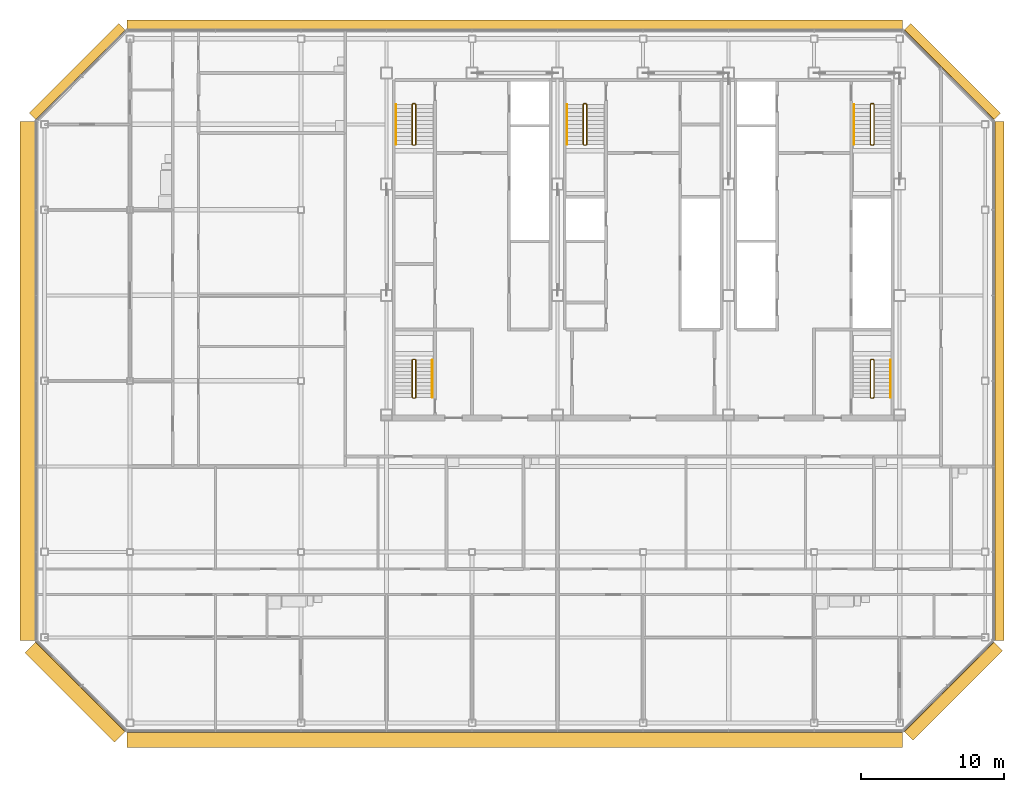
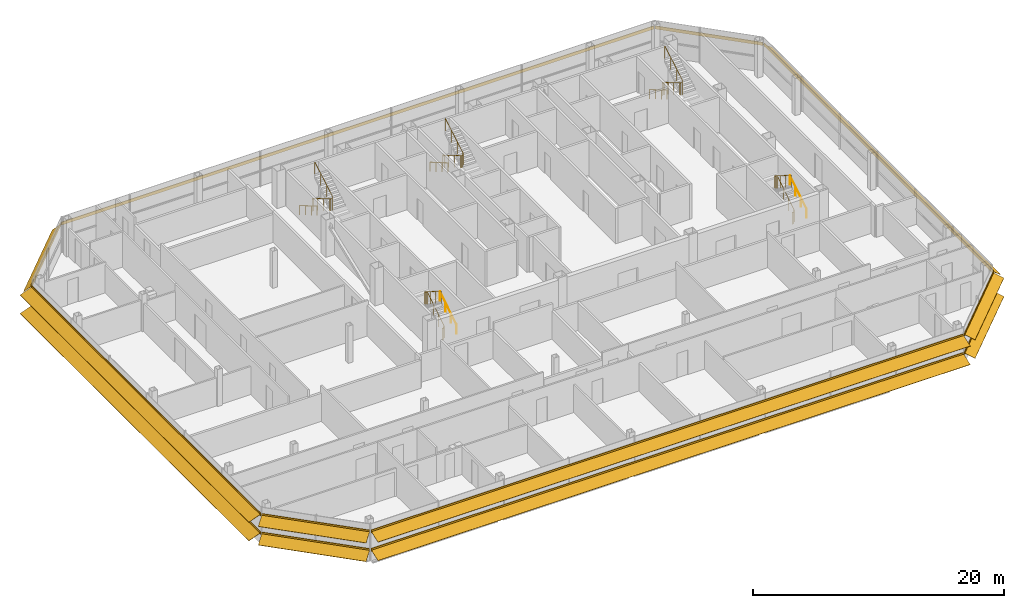
# One storey, part 26 of 27: 10 railings, 8 shading devices.
"""IFC4 building model written with IfcOpenShell, lengths in metres."""

import ifcopenshell
import ifcopenshell.guid

model = None  # the IFC model being written
_history = None  # IfcOwnerHistory: only IFC2X3 demands one
_inside = {}  # id of a spatial element -> (the spatial element, [elements in it])
_under = {}  # id of a project, library or spatial element -> (it, [spatial elements below it])
_declared = {}  # id of a project -> (the project, [libraries it declares])
_typed = {}  # id of a type object -> (the type object, [elements of that type])
_made_of = {}  # id of a material, layer set ... -> (it, [elements and type objects made of it])


def new_model(schema):
    """Start an empty IFC model of exactly this schema.

    Asked for "IFC4X3", IfcOpenShell would pick the latest addendum, in which some entities
    have other attributes; the version numbers below select the first issue.
    IFC2X3 requires an IfcOwnerHistory on every rooted entity: one is made here for all.
    """
    global model, _history
    if schema == "IFC4X3":
        model = ifcopenshell.file(schema_version=(4, 3, 0, 0))
    else:
        model = ifcopenshell.file(schema=schema)
    _inside.clear()
    _under.clear()
    _declared.clear()
    _typed.clear()
    _made_of.clear()
    _history = None
    if model.schema == "IFC2X3":
        org = make("IfcOrganization", Name="unknown")
        user = make(
            "IfcPersonAndOrganization",
            ThePerson=make("IfcPerson", FamilyName="unknown"),
            TheOrganization=org,
        )
        app = make(
            "IfcApplication",
            ApplicationDeveloper=org,
            Version="unknown",
            ApplicationFullName="unknown",
            ApplicationIdentifier="unknown",
        )
        _history = make(
            "IfcOwnerHistory",
            OwningUser=user,
            OwningApplication=app,
            ChangeAction="ADDED",
            CreationDate=0,
        )
    return model


def make(cls, **values):
    """One entity of the class cls with the attributes given. An attribute that is None is left unset."""
    return model.create_entity(
        cls, **{name: value for name, value in values.items() if value is not None}
    )


def rooted(cls, **values):
    """An entity with a GlobalId (a new one), such as an element, a storey or a relation."""
    return make(cls, GlobalId=ifcopenshell.guid.new(), OwnerHistory=_history, **values)


def si_unit(unit_type, name, prefix=None):
    """IfcSIUnit, for example si_unit("LENGTHUNIT", "METRE", prefix="MILLI")."""
    return make("IfcSIUnit", UnitType=unit_type, Prefix=prefix, Name=name)


def assignment(units):
    """IfcUnitAssignment: the units of a project."""
    return None if units is None else make("IfcUnitAssignment", Units=units)


def point(xyz):
    """IfcCartesianPoint."""
    return None if xyz is None else make("IfcCartesianPoint", Coordinates=xyz)


def direction(xyz):
    """IfcDirection."""
    return None if xyz is None else make("IfcDirection", DirectionRatios=xyz)


def frame(location, z_axis=None, x_axis=None):
    """IfcAxis2Placement3D, a coordinate frame: its origin and axes. An axis left out is left unset."""
    return make(
        "IfcAxis2Placement3D",
        Location=point(location),
        Axis=direction(z_axis),
        RefDirection=direction(x_axis),
    )


def frame_2d(location, x_axis=None):
    """IfcAxis2Placement2D, a coordinate frame in the plane: its origin and x axis."""
    return make(
        "IfcAxis2Placement2D", Location=point(location), RefDirection=direction(x_axis)
    )


def origin():
    """The frame at (0, 0, 0) with its axes left unset."""
    return frame((0.0, 0.0, 0.0))


def origin_2d():
    """The frame at (0, 0) in the plane with its x axis left unset."""
    return frame_2d((0.0, 0.0))


def place(relative_to, where):
    """IfcLocalPlacement: puts the frame where relative to a parent placement (None: the world)."""
    return make(
        "IfcLocalPlacement", PlacementRelTo=relative_to, RelativePlacement=where
    )


def context(
    kind, dimensions, precision=None, world=None, true_north=None, identifier=None
):
    """IfcGeometricRepresentationContext, for example the 3D "Model" context."""
    return make(
        "IfcGeometricRepresentationContext",
        ContextIdentifier=identifier,
        ContextType=kind,
        CoordinateSpaceDimension=dimensions,
        Precision=precision,
        WorldCoordinateSystem=world,
        TrueNorth=true_north,
    )


def subcontext(parent, identifier, kind, view, scale=None):
    """IfcGeometricRepresentationSubContext, for example "Body" below "Model"."""
    return make(
        "IfcGeometricRepresentationSubContext",
        ContextIdentifier=identifier,
        ContextType=kind,
        ParentContext=parent,
        TargetScale=scale,
        TargetView=view,
    )


def project(units=None, contexts=None):
    """IfcProject with its units and contexts."""
    return rooted(
        "IfcProject",
        Name="project",
        RepresentationContexts=contexts,
        UnitsInContext=assignment(units),
    )


def spatial(cls, under=None, at=None, **own):
    """A site, building, storey or space (cls), placed at a placement, below another one or the project."""
    s = rooted(cls, ObjectPlacement=at, **own)
    if under is not None:
        _under.setdefault(under.id(), (under, []))[1].append(s)
    return s


def polyline(points):
    """IfcPolyline through the points."""
    return make("IfcPolyline", Points=[point(p) for p in points])


def profile(cls, at=None, kind="AREA", **sizes):
    """A parametric profile (cls). Its sizes go by their IFC names, for example OverallWidth=200.0."""
    return make(cls, ProfileType=kind, Position=at, **sizes)


def circle(**sizes):
    """IfcCircleProfileDef."""
    return profile("IfcCircleProfileDef", **sizes)


def outline(outer, holes=None, kind="AREA"):
    """IfcArbitraryClosedProfileDef: a profile drawn as a closed curve; with holes, ...WithVoids."""
    if holes is None:
        return make("IfcArbitraryClosedProfileDef", ProfileType=kind, OuterCurve=outer)
    return make(
        "IfcArbitraryProfileDefWithVoids",
        ProfileType=kind,
        OuterCurve=outer,
        InnerCurves=holes,
    )


def composite_profile(profiles, kind="AREA"):
    """IfcCompositeProfileDef: several profiles as one."""
    return make("IfcCompositeProfileDef", ProfileType=kind, Profiles=profiles)


def extrude(swept, where, along, depth):
    """IfcExtrudedAreaSolid: the profile swept, set in the frame where, extruded along a direction by depth."""
    return make(
        "IfcExtrudedAreaSolid",
        SweptArea=swept,
        Position=where,
        ExtrudedDirection=direction(along),
        Depth=depth,
    )


def shape(context_of_items, identifier, shape_type, items):
    """IfcShapeRepresentation: the items that make up one representation, for example the "Body"."""
    return make(
        "IfcShapeRepresentation",
        ContextOfItems=context_of_items,
        RepresentationIdentifier=identifier,
        RepresentationType=shape_type,
        Items=items,
    )


def material(Name=None, Category=None):
    """IfcMaterial."""
    return make("IfcMaterial", Name=Name, Category=Category)


def made_of(thing, what):
    """Note that an element or type object is made of a material, layer set ...; save() writes the relation."""
    if what is not None:
        _made_of.setdefault(what.id(), (what, []))[1].append(thing)
    return thing


def type_object(cls, material=None, **own):
    """A type object (cls), such as IfcWallType, which elements share."""
    return made_of(rooted(cls, **own), material)


def element(
    cls,
    number,
    at=None,
    inside=None,
    cuts=None,
    type_object=None,
    material=None,
    context=None,
    identifier="Body",
    shape_type=None,
    held_by="IfcProductDefinitionShape",
    body=None,
    shapes=None,
    **own,
):
    """One element of the class cls, such as IfcWall. Its Tag is "e" and its number.

    at: its placement. inside: the storey or other place that contains it. cuts: it is an
    opening in that element (IfcRelVoidsElement). A single representation is given by context,
    identifier, shape_type and body (its items); several are given by shapes. held_by: the class
    of the entity that holds the representations. save() writes the other relations.
    """
    e = rooted(cls, Tag="e%d" % number, ObjectPlacement=at, **own)
    if body is not None:
        shapes = [shape(context, identifier, shape_type, body)]
    if shapes is not None:
        e.Representation = make(held_by, Representations=shapes)
    if inside is not None:
        _inside.setdefault(inside.id(), (inside, []))[1].append(e)
    if cuts is not None:
        rooted(
            "IfcRelVoidsElement", RelatingBuildingElement=cuts, RelatedOpeningElement=e
        )
    if type_object is not None:
        _typed.setdefault(type_object.id(), (type_object, []))[1].append(e)
    return made_of(e, material)


def aggregate(whole, parts):
    """IfcRelAggregates: a whole, such as a stair, and the parts it consists of."""
    return rooted("IfcRelAggregates", RelatingObject=whole, RelatedObjects=parts)


def save(model, path):
    """Write the relations noted so far, then the file.

    IfcRelAggregates (storeys below a building ...), IfcRelContainedInSpatialStructure (elements
    in a storey), IfcRelDefinesByType, IfcRelAssociatesMaterial and IfcRelDeclares: one each for
    every whole, place, type object, material and project.
    """
    for whole, parts in _under.values():
        aggregate(whole, parts)
    for where, things in _inside.values():
        rooted(
            "IfcRelContainedInSpatialStructure",
            RelatedElements=things,
            RelatingStructure=where,
        )
    for kind, things in _typed.values():
        rooted("IfcRelDefinesByType", RelatedObjects=things, RelatingType=kind)
    for what, things in _made_of.values():
        rooted("IfcRelAssociatesMaterial", RelatedObjects=things, RelatingMaterial=what)
    for by, libraries in _declared.values():
        rooted("IfcRelDeclares", RelatingContext=by, RelatedDefinitions=libraries)
    model.write(path)


model = new_model("IFC4")

# Units and contexts
model_context = context("Model", 3, precision=1e-05, world=origin(), true_north=direction((0.0, 1.0)))
body_context = subcontext(model_context, "Body", "Model", "MODEL_VIEW")
ifc_project = project(units=[si_unit("LENGTHUNIT", "METRE"), si_unit("AREAUNIT", "SQUARE_METRE"), si_unit("VOLUMEUNIT", "CUBIC_METRE"), si_unit("PLANEANGLEUNIT", "RADIAN"), si_unit("MASSUNIT", "GRAM", prefix="KILO")], contexts=[model_context])

# Site, building, storey
site_placement = place(None, origin())
site = spatial("IfcSite", under=ifc_project, at=site_placement, CompositionType="ELEMENT")
building_placement = place(site_placement, origin())
building = spatial("IfcBuilding", under=site, at=building_placement, Name="Sorahane Residences", CompositionType="ELEMENT")
storey_placement = place(building_placement, frame((0.0, 0.0, 312.39990234375)))
storey = spatial("IfcBuildingStorey", under=building, at=storey_placement, Name="L74", CompositionType="ELEMENT", Elevation=312.39990234375)

# Shading devices
ifc_material_1 = material(Name="Terracotta anodised aluminium", Category="masonry")
shading_device_type_1 = type_object("IfcShadingDeviceType", Name="Louvre sunshade blade E terracotta aluminium 700", PredefinedType="JALOUSIE", material=ifc_material_1)
shading_device_1_placement = place(storey_placement, frame((48.60009765625, 5.801513671875, 2.7001953125), z_axis=(0.0, 1.0, 0.0), x_axis=(-1.0, 0.0, 0.0)))
element("IfcShadingDevice", 1, at=shading_device_1_placement, inside=storey, type_object=shading_device_type_1, Name="Louvre sunshade blade bank E L74 E1", PredefinedType="JALOUSIE", context=body_context, shape_type="SweptSolid", body=[
    extrude(outline(polyline([(-0.719970703125, -0.49365234375), (-0.719970703125, -0.523681640625), (-0.080078125, -0.05859375), (-0.080078125, -0.14990234375), (-0.02001953125, -0.14990234375), (-0.02001953125, -0.014892578125), (-0.02001953125, 0.014892578125), (-0.02001953125, 0.14990234375), (-0.080078125, 0.14990234375), (-0.080078125, -0.028564453125), (-0.719970703125, -0.49365234375)])), origin(), (0.0, 0.0, 1.0), 36.39697265625),
])
ifc_material_2 = material(Name="Terracotta anodised aluminium", Category="masonry")
shading_device_type_2 = type_object("IfcShadingDeviceType", Name="Louvre sunshade blade N terracotta aluminium 700", PredefinedType="JALOUSIE", material=ifc_material_2)
shading_device_2_placement = place(storey_placement, frame((42.198486328125, 48.60009765625, 2.7001953125), z_axis=(-1.0, 0.0, 0.0), x_axis=(0.0, -1.0, 0.0)))
element("IfcShadingDevice", 2, at=shading_device_2_placement, inside=storey, type_object=shading_device_type_2, Name="Louvre sunshade blade bank N L74 N1", PredefinedType="JALOUSIE", context=body_context, shape_type="SweptSolid", body=[
    extrude(outline(polyline([(-0.719970703125, -0.660888671875), (-0.719970703125, -0.69091796875), (-0.080078125, -0.072998046875), (-0.080078125, -0.14990234375), (-0.02001953125, -0.14990234375), (-0.02001953125, -0.014892578125), (-0.02001953125, 0.014892578125), (-0.02001953125, 0.14990234375), (-0.080078125, 0.14990234375), (-0.080078125, -0.04296875), (-0.719970703125, -0.660888671875)])), origin(), (0.0, 0.0, 1.0), 54.39697265625),
])
ifc_material_3 = material(Name="Terracotta anodised aluminium", Category="masonry")
shading_device_type_3 = type_object("IfcShadingDeviceType", Name="Louvre sunshade blade NE terracotta aluminium 700", PredefinedType="JALOUSIE", material=ifc_material_3)
shading_device_3_placement = place(storey_placement, frame((48.564697265625, 42.283935546875, 2.7001953125), z_axis=(-0.707106781187, 0.707106781187, 0.0), x_axis=(-0.707106781187, -0.707106781187, 0.0)))
element("IfcShadingDevice", 3, at=shading_device_3_placement, inside=storey, type_object=shading_device_type_3, Name="Louvre sunshade blade bank NE L74 NE1", PredefinedType="JALOUSIE", context=body_context, shape_type="SweptSolid", body=[
    extrude(outline(polyline([(-0.719970703125, -0.572509765625), (-0.719970703125, -0.602294921875), (-0.080078125, -0.065185546875), (-0.080078125, -0.14990234375), (-0.02001953125, -0.14990234375), (-0.02001953125, -0.014892578125), (-0.02001953125, 0.014892578125), (-0.02001953125, 0.14990234375), (-0.080078125, 0.14990234375), (-0.080078125, -0.035400390625), (-0.719970703125, -0.572509765625)])), origin(), (0.0, 0.0, 1.0), 8.88232421875),
])
ifc_material_4 = material(Name="Terracotta anodised aluminium", Category="masonry")
shading_device_type_4 = type_object("IfcShadingDeviceType", Name="Louvre sunshade blade NW terracotta aluminium 700", PredefinedType="JALOUSIE", material=ifc_material_4)
shading_device_4_placement = place(storey_placement, frame((-12.283935546875, 48.564697265625, 2.7001953125), z_axis=(-0.707106781187, -0.707106781187, 0.0), x_axis=(0.707106781187, -0.707106781187, 0.0)))
element("IfcShadingDevice", 4, at=shading_device_4_placement, inside=storey, type_object=shading_device_type_4, Name="Louvre sunshade blade bank NW L74 NW1", PredefinedType="JALOUSIE", context=body_context, shape_type="SweptSolid", body=[
    extrude(outline(polyline([(-0.719970703125, -0.660888671875), (-0.719970703125, -0.69091796875), (-0.080078125, -0.072998046875), (-0.080078125, -0.14990234375), (-0.02001953125, -0.14990234375), (-0.02001953125, -0.014892578125), (-0.02001953125, 0.014892578125), (-0.02001953125, 0.14990234375), (-0.080078125, 0.14990234375), (-0.080078125, -0.04296875), (-0.719970703125, -0.660888671875)])), origin(), (0.0, 0.0, 1.0), 8.88232421875),
])
ifc_material_5 = material(Name="Terracotta anodised aluminium", Category="masonry")
shading_device_type_5 = type_object("IfcShadingDeviceType", Name="Louvre sunshade blade S terracotta aluminium 1100", PredefinedType="JALOUSIE", material=ifc_material_5)
shading_device_5_placement = place(storey_placement, frame((-12.198486328125, -0.60009765625, 0.900146484375), z_axis=(1.0, 0.0, 0.0), x_axis=(0.0, 1.0, 0.0)))
element("IfcShadingDevice", 5, at=shading_device_5_placement, inside=storey, type_object=shading_device_type_5, Name="Louvre sunshade blade bank S L74 S1", PredefinedType="JALOUSIE", context=body_context, shape_type="SweptSolid", body=[
    extrude(composite_profile([outline(polyline([(-1.1201171875, -0.385498046875), (-1.1201171875, -0.415283203125), (-0.080078125, -0.036865234375), (-0.080078125, -0.14990234375), (-0.02001953125, -0.14990234375), (-0.02001953125, -0.014892578125), (-0.02001953125, 0.014892578125), (-0.02001953125, 0.14990234375), (-0.080078125, 0.14990234375), (-0.080078125, -0.0068359375), (-1.1201171875, -0.385498046875)])), outline(polyline([(-1.1201171875, 1.41455078125), (-1.1201171875, 1.384521484375), (-0.080078125, 1.76318359375), (-0.080078125, 1.64990234375), (-0.02001953125, 1.64990234375), (-0.02001953125, 1.784912109375), (-0.02001953125, 1.81494140625), (-0.02001953125, 1.949951171875), (-0.080078125, 1.949951171875), (-0.080078125, 1.793212890625), (-1.1201171875, 1.41455078125)]))]), origin(), (0.0, 0.0, 1.0), 54.39697265625),
])
ifc_material_6 = material(Name="Terracotta anodised aluminium", Category="masonry")
shading_device_type_6 = type_object("IfcShadingDeviceType", Name="Louvre sunshade blade SE terracotta aluminium 900", PredefinedType="JALOUSIE", material=ifc_material_6)
shading_device_6_placement = place(storey_placement, frame((42.283935546875, -0.564697265625, 0.900146484375), z_axis=(0.707106781187, 0.707106781187, 0.0), x_axis=(-0.707106781187, 0.707106781187, 0.0)))
element("IfcShadingDevice", 6, at=shading_device_6_placement, inside=storey, type_object=shading_device_type_6, Name="Louvre sunshade blade bank SE L74 SE1", PredefinedType="JALOUSIE", context=body_context, shape_type="SweptSolid", body=[
    extrude(composite_profile([outline(polyline([(-0.919921875, -0.3486328125), (-0.919921875, -0.378662109375), (-0.080078125, -0.039306640625), (-0.080078125, -0.14990234375), (-0.02001953125, -0.14990234375), (-0.02001953125, -0.014892578125), (-0.02001953125, 0.014892578125), (-0.02001953125, 0.14990234375), (-0.080078125, 0.14990234375), (-0.080078125, -0.00927734375), (-0.919921875, -0.3486328125)])), outline(polyline([(-0.919921875, 1.451416015625), (-0.919921875, 1.42138671875), (-0.080078125, 1.7607421875), (-0.080078125, 1.64990234375), (-0.02001953125, 1.64990234375), (-0.02001953125, 1.784912109375), (-0.02001953125, 1.81494140625), (-0.02001953125, 1.949951171875), (-0.080078125, 1.949951171875), (-0.080078125, 1.790771484375), (-0.919921875, 1.451416015625)]))]), origin(), (0.0, 0.0, 1.0), 8.88232421875),
])
ifc_material_7 = material(Name="Terracotta anodised aluminium", Category="masonry")
shading_device_type_7 = type_object("IfcShadingDeviceType", Name="Louvre sunshade blade SW terracotta aluminium 1100", PredefinedType="JALOUSIE", material=ifc_material_7)
shading_device_7_placement = place(storey_placement, frame((-18.564697265625, 5.716064453125, 0.900146484375), z_axis=(0.707106781187, -0.707106781187, 0.0), x_axis=(0.707106781187, 0.707106781187, 0.0)))
element("IfcShadingDevice", 7, at=shading_device_7_placement, inside=storey, type_object=shading_device_type_7, Name="Louvre sunshade blade bank SW L74 SW1", PredefinedType="JALOUSIE", context=body_context, shape_type="SweptSolid", body=[
    extrude(composite_profile([outline(polyline([(-1.1201171875, -0.385498046875), (-1.1201171875, -0.415283203125), (-0.080078125, -0.036865234375), (-0.080078125, -0.14990234375), (-0.02001953125, -0.14990234375), (-0.02001953125, -0.014892578125), (-0.02001953125, 0.014892578125), (-0.02001953125, 0.14990234375), (-0.080078125, 0.14990234375), (-0.080078125, -0.0068359375), (-1.1201171875, -0.385498046875)])), outline(polyline([(-1.1201171875, 1.41455078125), (-1.1201171875, 1.384521484375), (-0.080078125, 1.76318359375), (-0.080078125, 1.64990234375), (-0.02001953125, 1.64990234375), (-0.02001953125, 1.784912109375), (-0.02001953125, 1.81494140625), (-0.02001953125, 1.949951171875), (-0.080078125, 1.949951171875), (-0.080078125, 1.793212890625), (-1.1201171875, 1.41455078125)]))]), origin(), (0.0, 0.0, 1.0), 8.88232421875),
])
ifc_material_8 = material(Name="Terracotta anodised aluminium", Category="masonry")
shading_device_type_8 = type_object("IfcShadingDeviceType", Name="Louvre sunshade blade W terracotta aluminium 1100", PredefinedType="JALOUSIE", material=ifc_material_8)
shading_device_8_placement = place(storey_placement, frame((-18.60009765625, 42.198486328125, 0.900146484375), z_axis=(0.0, -1.0, 0.0), x_axis=(1.0, 0.0, 0.0)))
element("IfcShadingDevice", 8, at=shading_device_8_placement, inside=storey, type_object=shading_device_type_8, Name="Louvre sunshade blade bank W L74 W1", PredefinedType="JALOUSIE", context=body_context, shape_type="SweptSolid", body=[
    extrude(composite_profile([outline(polyline([(-1.1201171875, -0.385498046875), (-1.1201171875, -0.415283203125), (-0.080078125, -0.036865234375), (-0.080078125, -0.14990234375), (-0.02001953125, -0.14990234375), (-0.02001953125, -0.014892578125), (-0.02001953125, 0.014892578125), (-0.02001953125, 0.14990234375), (-0.080078125, 0.14990234375), (-0.080078125, -0.0068359375), (-1.1201171875, -0.385498046875)])), outline(polyline([(-1.1201171875, 1.41455078125), (-1.1201171875, 1.384521484375), (-0.080078125, 1.76318359375), (-0.080078125, 1.64990234375), (-0.02001953125, 1.64990234375), (-0.02001953125, 1.784912109375), (-0.02001953125, 1.81494140625), (-0.02001953125, 1.949951171875), (-0.080078125, 1.949951171875), (-0.080078125, 1.793212890625), (-1.1201171875, 1.41455078125)]))]), origin(), (0.0, 0.0, 1.0), 36.39697265625),
])

# Railings
ifc_material_9 = material(Name="Steel Q355B", Category="steel")
railing_type_1 = type_object("IfcRailingType", Name="Stair guard 1200 Steel Q355B", PredefinedType="GUARDRAIL", material=ifc_material_9)
railing_1_placement = place(storey_placement, frame((8.0, 43.449951171875, 0.0)))
element("IfcRailing", 9, at=railing_1_placement, inside=storey, type_object=railing_type_1, Name="L74 S1 stair guard 1", PredefinedType="GUARDRAIL", context=body_context, shape_type="SweptSolid", body=[
    extrude(circle(Radius=0.02392578125, at=origin_2d()), frame((0.0, 0.0, 1.17578125), z_axis=(-1.0, 0.0, 0.0), x_axis=(0.0, -1.0, 0.0)), (0.0, 0.0, 1.0), 0.14990234375),
    extrude(circle(Radius=0.02392578125, at=origin_2d()), frame((-0.14990234375, 0.0, 1.17578125), z_axis=(-0.280456126637, -0.280456126637, 0.917980785237), x_axis=(0.707106781187, -0.707106781187, 0.0)), (0.0, 0.0, 1.0), 0.178466796875),
    extrude(circle(Radius=0.02392578125, at=origin_2d()), frame((-0.199951171875, -0.050048828125, 1.33984375), z_axis=(0.0, -0.863374499697, 0.504563646405), x_axis=(1.0, 0.0, 0.0)), (0.0, 0.0, 1.0), 3.242919921875),
    extrude(circle(Radius=0.02392578125, at=origin_2d()), frame((-0.199951171875, -2.849853515625, 2.97607421875), z_axis=(0.707106781187, -0.707106781187, 0.0), x_axis=(0.707106781187, 0.707106781187, 0.0)), (0.0, 0.0, 1.0), 0.07080078125),
    extrude(circle(Radius=0.02392578125, at=origin_2d()), frame((-0.14990234375, -2.89990234375, 2.97607421875), z_axis=(1.0, 0.0, 0.0), x_axis=(0.0, 1.0, 0.0)), (0.0, 0.0, 1.0), 0.14990234375),
    extrude(circle(Radius=0.02392578125, at=origin_2d()), frame((0.0, -2.89990234375, 2.97607421875), z_axis=(0.280808744504, 0.280808744504, 0.917765164963), x_axis=(-0.707106781187, 0.707106781187, 0.0)), (0.0, 0.0, 1.0), 0.17822265625),
    extrude(circle(Radius=0.02392578125, at=origin_2d()), frame((0.050048828125, -2.849853515625, 3.1396484375), z_axis=(0.0, 0.863341702679, 0.504619762213), x_axis=(-1.0, 0.0, 0.0)), (0.0, 0.0, 1.0), 3.242919921875),
    extrude(circle(Radius=0.02099609375, at=origin_2d()), origin(), (0.0, 0.0, 1.0), 1.15185546875),
    extrude(circle(Radius=0.02099609375, at=origin_2d()), frame((-0.14990234375, 0.0, 0.0)), (0.0, 0.0, 1.0), 1.15185546875),
    extrude(circle(Radius=0.02099609375, at=origin_2d()), frame((-0.199951171875, -0.050048828125, 0.163818359375)), (0.0, 0.0, 1.0), 1.15185546875),
    extrude(circle(Radius=0.02099609375, at=origin_2d()), frame((-0.199951171875, -0.9833984375, 0.709228515625)), (0.0, 0.0, 1.0), 1.15185546875),
    extrude(circle(Radius=0.02099609375, at=origin_2d()), frame((-0.199951171875, -1.91650390625, 1.254638671875)), (0.0, 0.0, 1.0), 1.15185546875),
    extrude(circle(Radius=0.02099609375, at=origin_2d()), frame((-0.199951171875, -2.849853515625, 1.800048828125)), (0.0, 0.0, 1.0), 1.15185546875),
    extrude(circle(Radius=0.02099609375, at=origin_2d()), frame((-0.14990234375, -2.89990234375, 1.800048828125)), (0.0, 0.0, 1.0), 1.15185546875),
    extrude(circle(Radius=0.02099609375, at=origin_2d()), frame((0.0, -2.89990234375, 1.800048828125)), (0.0, 0.0, 1.0), 1.15185546875),
    extrude(circle(Radius=0.02099609375, at=origin_2d()), frame((0.050048828125, -2.849853515625, 1.963623046875)), (0.0, 0.0, 1.0), 1.15185546875),
    extrude(circle(Radius=0.02099609375, at=origin_2d()), frame((0.050048828125, -1.91650390625, 2.509033203125)), (0.0, 0.0, 1.0), 1.15185546875),
    extrude(circle(Radius=0.02099609375, at=origin_2d()), frame((0.050048828125, -0.9833984375, 3.0546875)), (0.0, 0.0, 1.0), 1.15185546875),
    extrude(circle(Radius=0.02099609375, at=origin_2d()), frame((0.050048828125, -0.050048828125, 3.60009765625)), (0.0, 0.0, 1.0), 1.15185546875),
])
railing_2_placement = place(storey_placement, frame((40.14990234375, 43.449951171875, 0.0)))
element("IfcRailing", 10, at=railing_2_placement, inside=storey, type_object=railing_type_1, Name="L74 S2 stair guard 1", PredefinedType="GUARDRAIL", context=body_context, shape_type="SweptSolid", body=[
    extrude(circle(Radius=0.02392578125, at=origin_2d()), frame((0.0, 0.0, 1.17578125), z_axis=(-1.0, 0.0, 0.0), x_axis=(0.0, -1.0, 0.0)), (0.0, 0.0, 1.0), 0.14990234375),
    extrude(circle(Radius=0.02392578125, at=origin_2d()), frame((-0.14990234375, 0.0, 1.17578125), z_axis=(-0.280456126637, -0.280456126637, 0.917980785237), x_axis=(0.707106781187, -0.707106781187, 0.0)), (0.0, 0.0, 1.0), 0.178466796875),
    extrude(circle(Radius=0.02392578125, at=origin_2d()), frame((-0.199951171875, -0.050048828125, 1.33984375), z_axis=(0.0, -0.863374499697, 0.504563646405), x_axis=(1.0, 0.0, 0.0)), (0.0, 0.0, 1.0), 3.242919921875),
    extrude(circle(Radius=0.02392578125, at=origin_2d()), frame((-0.199951171875, -2.849853515625, 2.97607421875), z_axis=(0.707106781187, -0.707106781187, 0.0), x_axis=(0.707106781187, 0.707106781187, 0.0)), (0.0, 0.0, 1.0), 0.07080078125),
    extrude(circle(Radius=0.02392578125, at=origin_2d()), frame((-0.14990234375, -2.89990234375, 2.97607421875), z_axis=(1.0, 0.0, 0.0), x_axis=(0.0, 1.0, 0.0)), (0.0, 0.0, 1.0), 0.14990234375),
    extrude(circle(Radius=0.02392578125, at=origin_2d()), frame((0.0, -2.89990234375, 2.97607421875), z_axis=(0.280808744504, 0.280808744504, 0.917765164963), x_axis=(-0.707106781187, 0.707106781187, 0.0)), (0.0, 0.0, 1.0), 0.17822265625),
    extrude(circle(Radius=0.02392578125, at=origin_2d()), frame((0.050048828125, -2.849853515625, 3.1396484375), z_axis=(0.0, 0.863341702679, 0.504619762213), x_axis=(-1.0, 0.0, 0.0)), (0.0, 0.0, 1.0), 3.242919921875),
    extrude(circle(Radius=0.02099609375, at=origin_2d()), origin(), (0.0, 0.0, 1.0), 1.15185546875),
    extrude(circle(Radius=0.02099609375, at=origin_2d()), frame((-0.14990234375, 0.0, 0.0)), (0.0, 0.0, 1.0), 1.15185546875),
    extrude(circle(Radius=0.02099609375, at=origin_2d()), frame((-0.199951171875, -0.050048828125, 0.163818359375)), (0.0, 0.0, 1.0), 1.15185546875),
    extrude(circle(Radius=0.02099609375, at=origin_2d()), frame((-0.199951171875, -0.9833984375, 0.709228515625)), (0.0, 0.0, 1.0), 1.15185546875),
    extrude(circle(Radius=0.02099609375, at=origin_2d()), frame((-0.199951171875, -1.91650390625, 1.254638671875)), (0.0, 0.0, 1.0), 1.15185546875),
    extrude(circle(Radius=0.02099609375, at=origin_2d()), frame((-0.199951171875, -2.849853515625, 1.800048828125)), (0.0, 0.0, 1.0), 1.15185546875),
    extrude(circle(Radius=0.02099609375, at=origin_2d()), frame((-0.14990234375, -2.89990234375, 1.800048828125)), (0.0, 0.0, 1.0), 1.15185546875),
    extrude(circle(Radius=0.02099609375, at=origin_2d()), frame((0.0, -2.89990234375, 1.800048828125)), (0.0, 0.0, 1.0), 1.15185546875),
    extrude(circle(Radius=0.02099609375, at=origin_2d()), frame((0.050048828125, -2.849853515625, 1.963623046875)), (0.0, 0.0, 1.0), 1.15185546875),
    extrude(circle(Radius=0.02099609375, at=origin_2d()), frame((0.050048828125, -1.91650390625, 2.509033203125)), (0.0, 0.0, 1.0), 1.15185546875),
    extrude(circle(Radius=0.02099609375, at=origin_2d()), frame((0.050048828125, -0.9833984375, 3.0546875)), (0.0, 0.0, 1.0), 1.15185546875),
    extrude(circle(Radius=0.02099609375, at=origin_2d()), frame((0.050048828125, -0.050048828125, 3.60009765625)), (0.0, 0.0, 1.0), 1.15185546875),
])
railing_3_placement = place(storey_placement, frame((20.0, 43.449951171875, 0.0)))
element("IfcRailing", 11, at=railing_3_placement, inside=storey, type_object=railing_type_1, Name="L74 S3 stair guard 1", PredefinedType="GUARDRAIL", context=body_context, shape_type="SweptSolid", body=[
    extrude(circle(Radius=0.02392578125, at=origin_2d()), frame((0.0, 0.0, 1.17578125), z_axis=(-1.0, 0.0, 0.0), x_axis=(0.0, -1.0, 0.0)), (0.0, 0.0, 1.0), 0.14990234375),
    extrude(circle(Radius=0.02392578125, at=origin_2d()), frame((-0.14990234375, 0.0, 1.17578125), z_axis=(-0.280456126637, -0.280456126637, 0.917980785237), x_axis=(0.707106781187, -0.707106781187, 0.0)), (0.0, 0.0, 1.0), 0.178466796875),
    extrude(circle(Radius=0.02392578125, at=origin_2d()), frame((-0.199951171875, -0.050048828125, 1.33984375), z_axis=(0.0, -0.863374499697, 0.504563646405), x_axis=(1.0, 0.0, 0.0)), (0.0, 0.0, 1.0), 3.242919921875),
    extrude(circle(Radius=0.02392578125, at=origin_2d()), frame((-0.199951171875, -2.849853515625, 2.97607421875), z_axis=(0.707106781187, -0.707106781187, 0.0), x_axis=(0.707106781187, 0.707106781187, 0.0)), (0.0, 0.0, 1.0), 0.07080078125),
    extrude(circle(Radius=0.02392578125, at=origin_2d()), frame((-0.14990234375, -2.89990234375, 2.97607421875), z_axis=(1.0, 0.0, 0.0), x_axis=(0.0, 1.0, 0.0)), (0.0, 0.0, 1.0), 0.14990234375),
    extrude(circle(Radius=0.02392578125, at=origin_2d()), frame((0.0, -2.89990234375, 2.97607421875), z_axis=(0.280808744504, 0.280808744504, 0.917765164963), x_axis=(-0.707106781187, 0.707106781187, 0.0)), (0.0, 0.0, 1.0), 0.17822265625),
    extrude(circle(Radius=0.02392578125, at=origin_2d()), frame((0.050048828125, -2.849853515625, 3.1396484375), z_axis=(0.0, 0.863341702679, 0.504619762213), x_axis=(-1.0, 0.0, 0.0)), (0.0, 0.0, 1.0), 3.242919921875),
    extrude(circle(Radius=0.02099609375, at=origin_2d()), origin(), (0.0, 0.0, 1.0), 1.15185546875),
    extrude(circle(Radius=0.02099609375, at=origin_2d()), frame((-0.14990234375, 0.0, 0.0)), (0.0, 0.0, 1.0), 1.15185546875),
    extrude(circle(Radius=0.02099609375, at=origin_2d()), frame((-0.199951171875, -0.050048828125, 0.163818359375)), (0.0, 0.0, 1.0), 1.15185546875),
    extrude(circle(Radius=0.02099609375, at=origin_2d()), frame((-0.199951171875, -0.9833984375, 0.709228515625)), (0.0, 0.0, 1.0), 1.15185546875),
    extrude(circle(Radius=0.02099609375, at=origin_2d()), frame((-0.199951171875, -1.91650390625, 1.254638671875)), (0.0, 0.0, 1.0), 1.15185546875),
    extrude(circle(Radius=0.02099609375, at=origin_2d()), frame((-0.199951171875, -2.849853515625, 1.800048828125)), (0.0, 0.0, 1.0), 1.15185546875),
    extrude(circle(Radius=0.02099609375, at=origin_2d()), frame((-0.14990234375, -2.89990234375, 1.800048828125)), (0.0, 0.0, 1.0), 1.15185546875),
    extrude(circle(Radius=0.02099609375, at=origin_2d()), frame((0.0, -2.89990234375, 1.800048828125)), (0.0, 0.0, 1.0), 1.15185546875),
    extrude(circle(Radius=0.02099609375, at=origin_2d()), frame((0.050048828125, -2.849853515625, 1.963623046875)), (0.0, 0.0, 1.0), 1.15185546875),
    extrude(circle(Radius=0.02099609375, at=origin_2d()), frame((0.050048828125, -1.91650390625, 2.509033203125)), (0.0, 0.0, 1.0), 1.15185546875),
    extrude(circle(Radius=0.02099609375, at=origin_2d()), frame((0.050048828125, -0.9833984375, 3.0546875)), (0.0, 0.0, 1.0), 1.15185546875),
    extrude(circle(Radius=0.02099609375, at=origin_2d()), frame((0.050048828125, -0.050048828125, 3.60009765625)), (0.0, 0.0, 1.0), 1.15185546875),
])
railing_4_placement = place(storey_placement, frame((7.85009765625, 22.800048828125, 0.0)))
element("IfcRailing", 12, at=railing_4_placement, inside=storey, type_object=railing_type_1, Name="L74 S4 stair guard 1", PredefinedType="GUARDRAIL", context=body_context, shape_type="SweptSolid", body=[
    extrude(circle(Radius=0.02392578125, at=origin_2d()), frame((0.0, 0.0, 1.17578125), z_axis=(1.0, 0.0, 0.0), x_axis=(0.0, 1.0, 0.0)), (0.0, 0.0, 1.0), 0.14990234375),
    extrude(circle(Radius=0.02392578125, at=origin_2d()), frame((0.14990234375, 0.0, 1.17578125), z_axis=(0.280456126637, 0.280456126637, 0.917980785237), x_axis=(-0.707106781187, 0.707106781187, 0.0)), (0.0, 0.0, 1.0), 0.178466796875),
    extrude(circle(Radius=0.02392578125, at=origin_2d()), frame((0.199951171875, 0.050048828125, 1.33984375), z_axis=(0.0, 0.846337672412, 0.532646734952), x_axis=(-1.0, 0.0, 0.0)), (0.0, 0.0, 1.0), 3.07177734375),
    extrude(circle(Radius=0.02392578125, at=origin_2d()), frame((0.199951171875, 2.64990234375, 2.97607421875), z_axis=(-0.707106781187, 0.707106781187, 0.0), x_axis=(-0.707106781187, -0.707106781187, 0.0)), (0.0, 0.0, 1.0), 0.07080078125),
    extrude(circle(Radius=0.02392578125, at=origin_2d()), frame((0.14990234375, 2.699951171875, 2.97607421875), z_axis=(-1.0, 0.0, 0.0), x_axis=(0.0, -1.0, 0.0)), (0.0, 0.0, 1.0), 0.14990234375),
    extrude(circle(Radius=0.02392578125, at=origin_2d()), frame((0.0, 2.699951171875, 2.97607421875), z_axis=(-0.280808744504, -0.280808744504, 0.917765164963), x_axis=(0.707106781187, -0.707106781187, 0.0)), (0.0, 0.0, 1.0), 0.17822265625),
    extrude(circle(Radius=0.02392578125, at=origin_2d()), frame((-0.050048828125, 2.64990234375, 3.1396484375), z_axis=(0.0, -0.846301844409, 0.532703658848), x_axis=(1.0, 0.0, 0.0)), (0.0, 0.0, 1.0), 3.072021484375),
    extrude(circle(Radius=0.02099609375, at=origin_2d()), origin(), (0.0, 0.0, 1.0), 1.15185546875),
    extrude(circle(Radius=0.02099609375, at=origin_2d()), frame((0.14990234375, 0.0, 0.0)), (0.0, 0.0, 1.0), 1.15185546875),
    extrude(circle(Radius=0.02099609375, at=origin_2d()), frame((0.199951171875, 0.050048828125, 0.163818359375)), (0.0, 0.0, 1.0), 1.15185546875),
    extrude(circle(Radius=0.02099609375, at=origin_2d()), frame((0.199951171875, 0.916748046875, 0.709228515625)), (0.0, 0.0, 1.0), 1.15185546875),
    extrude(circle(Radius=0.02099609375, at=origin_2d()), frame((0.199951171875, 1.783203125, 1.254638671875)), (0.0, 0.0, 1.0), 1.15185546875),
    extrude(circle(Radius=0.02099609375, at=origin_2d()), frame((0.199951171875, 2.64990234375, 1.800048828125)), (0.0, 0.0, 1.0), 1.15185546875),
    extrude(circle(Radius=0.02099609375, at=origin_2d()), frame((0.14990234375, 2.699951171875, 1.800048828125)), (0.0, 0.0, 1.0), 1.15185546875),
    extrude(circle(Radius=0.02099609375, at=origin_2d()), frame((0.0, 2.699951171875, 1.800048828125)), (0.0, 0.0, 1.0), 1.15185546875),
    extrude(circle(Radius=0.02099609375, at=origin_2d()), frame((-0.050048828125, 2.64990234375, 1.963623046875)), (0.0, 0.0, 1.0), 1.15185546875),
    extrude(circle(Radius=0.02099609375, at=origin_2d()), frame((-0.050048828125, 1.783203125, 2.509033203125)), (0.0, 0.0, 1.0), 1.15185546875),
    extrude(circle(Radius=0.02099609375, at=origin_2d()), frame((-0.050048828125, 0.916748046875, 3.0546875)), (0.0, 0.0, 1.0), 1.15185546875),
    extrude(circle(Radius=0.02099609375, at=origin_2d()), frame((-0.050048828125, 0.050048828125, 3.60009765625)), (0.0, 0.0, 1.0), 1.15185546875),
])
railing_5_placement = place(storey_placement, frame((40.0, 22.800048828125, 0.0)))
element("IfcRailing", 13, at=railing_5_placement, inside=storey, type_object=railing_type_1, Name="L74 S5 stair guard 1", PredefinedType="GUARDRAIL", context=body_context, shape_type="SweptSolid", body=[
    extrude(circle(Radius=0.02392578125, at=origin_2d()), frame((0.0, 0.0, 1.17578125), z_axis=(1.0, 0.0, 0.0), x_axis=(0.0, 1.0, 0.0)), (0.0, 0.0, 1.0), 0.14990234375),
    extrude(circle(Radius=0.02392578125, at=origin_2d()), frame((0.14990234375, 0.0, 1.17578125), z_axis=(0.280456126637, 0.280456126637, 0.917980785237), x_axis=(-0.707106781187, 0.707106781187, 0.0)), (0.0, 0.0, 1.0), 0.178466796875),
    extrude(circle(Radius=0.02392578125, at=origin_2d()), frame((0.199951171875, 0.050048828125, 1.33984375), z_axis=(0.0, 0.846337672412, 0.532646734952), x_axis=(-1.0, 0.0, 0.0)), (0.0, 0.0, 1.0), 3.07177734375),
    extrude(circle(Radius=0.02392578125, at=origin_2d()), frame((0.199951171875, 2.64990234375, 2.97607421875), z_axis=(-0.707106781187, 0.707106781187, 0.0), x_axis=(-0.707106781187, -0.707106781187, 0.0)), (0.0, 0.0, 1.0), 0.07080078125),
    extrude(circle(Radius=0.02392578125, at=origin_2d()), frame((0.14990234375, 2.699951171875, 2.97607421875), z_axis=(-1.0, 0.0, 0.0), x_axis=(0.0, -1.0, 0.0)), (0.0, 0.0, 1.0), 0.14990234375),
    extrude(circle(Radius=0.02392578125, at=origin_2d()), frame((0.0, 2.699951171875, 2.97607421875), z_axis=(-0.280808744504, -0.280808744504, 0.917765164963), x_axis=(0.707106781187, -0.707106781187, 0.0)), (0.0, 0.0, 1.0), 0.17822265625),
    extrude(circle(Radius=0.02392578125, at=origin_2d()), frame((-0.050048828125, 2.64990234375, 3.1396484375), z_axis=(0.0, -0.846301844409, 0.532703658848), x_axis=(1.0, 0.0, 0.0)), (0.0, 0.0, 1.0), 3.072021484375),
    extrude(circle(Radius=0.02099609375, at=origin_2d()), origin(), (0.0, 0.0, 1.0), 1.15185546875),
    extrude(circle(Radius=0.02099609375, at=origin_2d()), frame((0.14990234375, 0.0, 0.0)), (0.0, 0.0, 1.0), 1.15185546875),
    extrude(circle(Radius=0.02099609375, at=origin_2d()), frame((0.199951171875, 0.050048828125, 0.163818359375)), (0.0, 0.0, 1.0), 1.15185546875),
    extrude(circle(Radius=0.02099609375, at=origin_2d()), frame((0.199951171875, 0.916748046875, 0.709228515625)), (0.0, 0.0, 1.0), 1.15185546875),
    extrude(circle(Radius=0.02099609375, at=origin_2d()), frame((0.199951171875, 1.783203125, 1.254638671875)), (0.0, 0.0, 1.0), 1.15185546875),
    extrude(circle(Radius=0.02099609375, at=origin_2d()), frame((0.199951171875, 2.64990234375, 1.800048828125)), (0.0, 0.0, 1.0), 1.15185546875),
    extrude(circle(Radius=0.02099609375, at=origin_2d()), frame((0.14990234375, 2.699951171875, 1.800048828125)), (0.0, 0.0, 1.0), 1.15185546875),
    extrude(circle(Radius=0.02099609375, at=origin_2d()), frame((0.0, 2.699951171875, 1.800048828125)), (0.0, 0.0, 1.0), 1.15185546875),
    extrude(circle(Radius=0.02099609375, at=origin_2d()), frame((-0.050048828125, 2.64990234375, 1.963623046875)), (0.0, 0.0, 1.0), 1.15185546875),
    extrude(circle(Radius=0.02099609375, at=origin_2d()), frame((-0.050048828125, 1.783203125, 2.509033203125)), (0.0, 0.0, 1.0), 1.15185546875),
    extrude(circle(Radius=0.02099609375, at=origin_2d()), frame((-0.050048828125, 0.916748046875, 3.0546875)), (0.0, 0.0, 1.0), 1.15185546875),
    extrude(circle(Radius=0.02099609375, at=origin_2d()), frame((-0.050048828125, 0.050048828125, 3.60009765625)), (0.0, 0.0, 1.0), 1.15185546875),
])
ifc_material_10 = material(Name="Steel Q355B", Category="steel")
railing_type_2 = type_object("IfcRailingType", Name="Stair handrail 900 Steel Q355B", PredefinedType="HANDRAIL", material=ifc_material_10)
for number, where, name in (
    (14, (6.64990234375, 43.39990234375, 0.163818359375), "L74 S1 stair handrail 1"),
    (15, (38.800048828125, 43.39990234375, 0.163818359375), "L74 S2 stair handrail 1"),
    (16, (18.64990234375, 43.39990234375, 0.163818359375), "L74 S3 stair handrail 1"),
):
    element("IfcRailing", number, at=place(storey_placement, frame(where)), inside=storey, type_object=railing_type_2, Name=name, PredefinedType="HANDRAIL", context=body_context, shape_type="SweptSolid", body=[
        extrude(circle(Radius=0.02392578125, at=origin_2d()), frame((0.0, 0.0, 0.8759765625), z_axis=(0.0, -0.863374499697, 0.504563646405), x_axis=(1.0, 0.0, 0.0)), (0.0, 0.0, 1.0), 3.242919921875),
        extrude(circle(Radius=0.02099609375, at=origin_2d()), origin(), (0.0, 0.0, 1.0), 0.851806640625),
        extrude(circle(Radius=0.02099609375, at=origin_2d()), frame((0.0, -0.933349609375, 0.54541015625)), (0.0, 0.0, 1.0), 0.851806640625),
        extrude(circle(Radius=0.02099609375, at=origin_2d()), frame((0.0, -1.866455078125, 1.0908203125)), (0.0, 0.0, 1.0), 0.851806640625),
        extrude(circle(Radius=0.02099609375, at=origin_2d()), frame((0.0, -2.7998046875, 1.63623046875)), (0.0, 0.0, 1.0), 0.851806640625),
    ])
for number, where, name in (
    (17, (9.199951171875, 22.85009765625, 0.163818359375), "L74 S4 stair handrail 1"),
    (18, (41.35009765625, 22.85009765625, 0.163818359375), "L74 S5 stair handrail 1"),
):
    element("IfcRailing", number, at=place(storey_placement, frame(where)), inside=storey, type_object=railing_type_2, Name=name, PredefinedType="HANDRAIL", context=body_context, shape_type="SweptSolid", body=[
        extrude(circle(Radius=0.02392578125, at=origin_2d()), frame((0.0, 0.0, 0.8759765625), z_axis=(0.0, 0.846337672412, 0.532646734952), x_axis=(-1.0, 0.0, 0.0)), (0.0, 0.0, 1.0), 3.07177734375),
        extrude(circle(Radius=0.02099609375, at=origin_2d()), origin(), (0.0, 0.0, 1.0), 0.851806640625),
        extrude(circle(Radius=0.02099609375, at=origin_2d()), frame((0.0, 0.86669921875, 0.54541015625)), (0.0, 0.0, 1.0), 0.851806640625),
        extrude(circle(Radius=0.02099609375, at=origin_2d()), frame((0.0, 1.733154296875, 1.0908203125)), (0.0, 0.0, 1.0), 0.851806640625),
        extrude(circle(Radius=0.02099609375, at=origin_2d()), frame((0.0, 2.599853515625, 1.63623046875)), (0.0, 0.0, 1.0), 0.851806640625),
    ])

save(model, "model.ifc")
